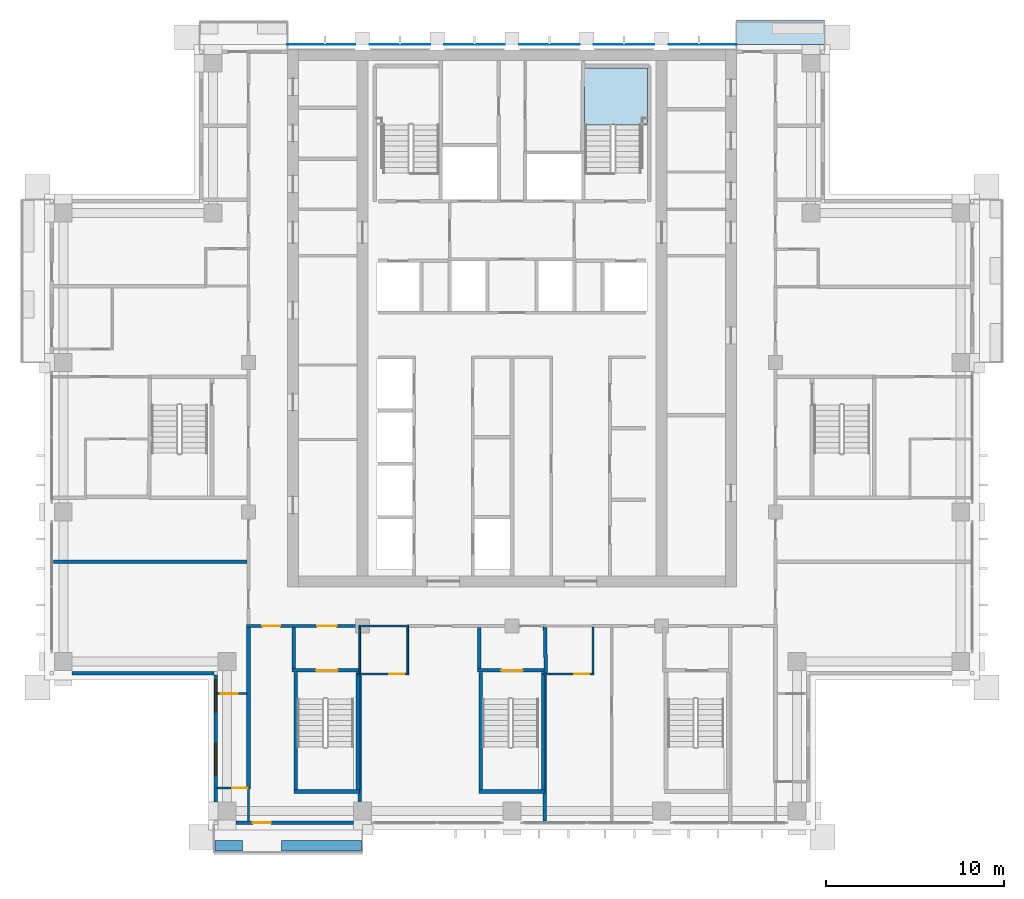
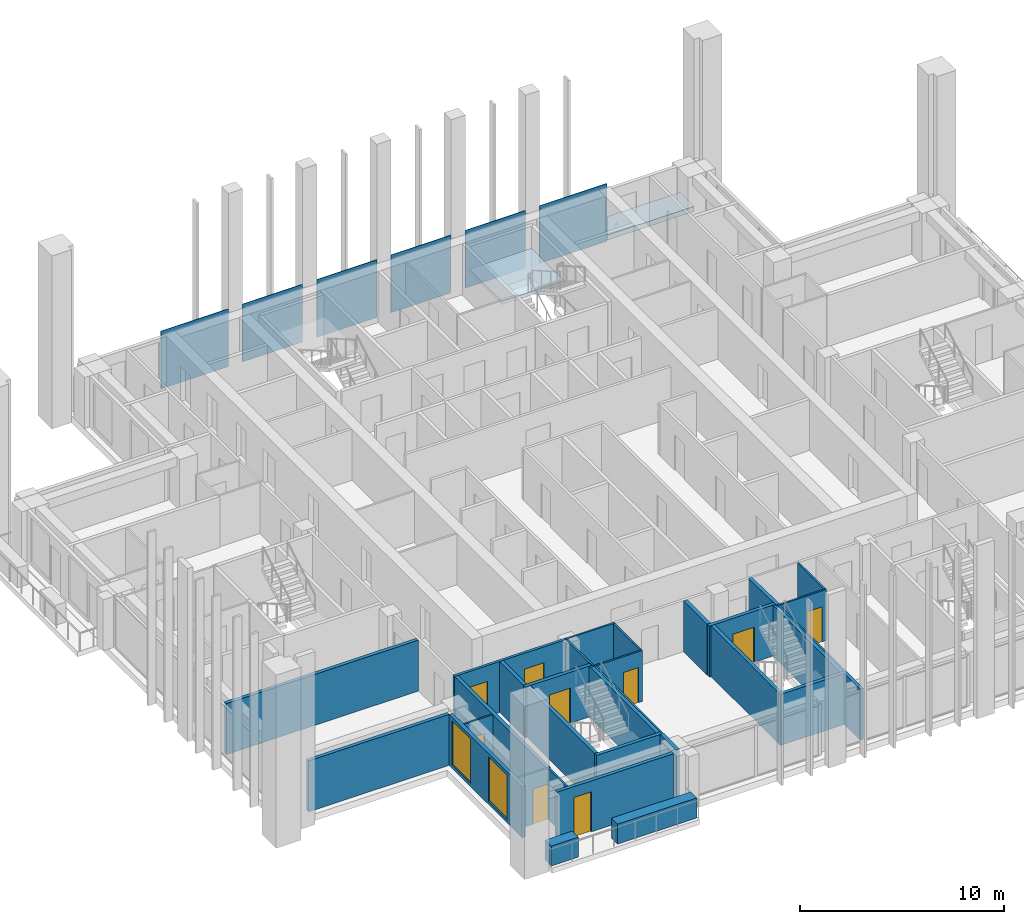
# One storey, part 7 of 17: 30 walls, 9 doors, 6 plates, 2 slabs, 2 windows, 11 openings, 1 element without a shape of its own.
"""IFC4 building model written with IfcOpenShell, lengths in metres."""

import ifcopenshell
import ifcopenshell.guid

model = None  # the IFC model being written
_history = None  # IfcOwnerHistory: only IFC2X3 demands one
_inside = {}  # id of a spatial element -> (the spatial element, [elements in it])
_under = {}  # id of a project, library or spatial element -> (it, [spatial elements below it])
_declared = {}  # id of a project -> (the project, [libraries it declares])
_typed = {}  # id of a type object -> (the type object, [elements of that type])
_made_of = {}  # id of a material, layer set ... -> (it, [elements and type objects made of it])


def new_model(schema):
    """Start an empty IFC model of exactly this schema.

    Asked for "IFC4X3", IfcOpenShell would pick the latest addendum, in which some entities
    have other attributes; the version numbers below select the first issue.
    IFC2X3 requires an IfcOwnerHistory on every rooted entity: one is made here for all.
    """
    global model, _history
    if schema == "IFC4X3":
        model = ifcopenshell.file(schema_version=(4, 3, 0, 0))
    else:
        model = ifcopenshell.file(schema=schema)
    _inside.clear()
    _under.clear()
    _declared.clear()
    _typed.clear()
    _made_of.clear()
    _history = None
    if model.schema == "IFC2X3":
        org = make("IfcOrganization", Name="unknown")
        user = make(
            "IfcPersonAndOrganization",
            ThePerson=make("IfcPerson", FamilyName="unknown"),
            TheOrganization=org,
        )
        app = make(
            "IfcApplication",
            ApplicationDeveloper=org,
            Version="unknown",
            ApplicationFullName="unknown",
            ApplicationIdentifier="unknown",
        )
        _history = make(
            "IfcOwnerHistory",
            OwningUser=user,
            OwningApplication=app,
            ChangeAction="ADDED",
            CreationDate=0,
        )
    return model


def make(cls, **values):
    """One entity of the class cls with the attributes given. An attribute that is None is left unset."""
    return model.create_entity(
        cls, **{name: value for name, value in values.items() if value is not None}
    )


def rooted(cls, **values):
    """An entity with a GlobalId (a new one), such as an element, a storey or a relation."""
    return make(cls, GlobalId=ifcopenshell.guid.new(), OwnerHistory=_history, **values)


def si_unit(unit_type, name, prefix=None):
    """IfcSIUnit, for example si_unit("LENGTHUNIT", "METRE", prefix="MILLI")."""
    return make("IfcSIUnit", UnitType=unit_type, Prefix=prefix, Name=name)


def assignment(units):
    """IfcUnitAssignment: the units of a project."""
    return None if units is None else make("IfcUnitAssignment", Units=units)


def point(xyz):
    """IfcCartesianPoint."""
    return None if xyz is None else make("IfcCartesianPoint", Coordinates=xyz)


def direction(xyz):
    """IfcDirection."""
    return None if xyz is None else make("IfcDirection", DirectionRatios=xyz)


def frame(location, z_axis=None, x_axis=None):
    """IfcAxis2Placement3D, a coordinate frame: its origin and axes. An axis left out is left unset."""
    return make(
        "IfcAxis2Placement3D",
        Location=point(location),
        Axis=direction(z_axis),
        RefDirection=direction(x_axis),
    )


def frame_2d(location, x_axis=None):
    """IfcAxis2Placement2D, a coordinate frame in the plane: its origin and x axis."""
    return make(
        "IfcAxis2Placement2D", Location=point(location), RefDirection=direction(x_axis)
    )


def origin():
    """The frame at (0, 0, 0) with its axes left unset."""
    return frame((0.0, 0.0, 0.0))


def origin_2d():
    """The frame at (0, 0) in the plane with its x axis left unset."""
    return frame_2d((0.0, 0.0))


def place(relative_to, where):
    """IfcLocalPlacement: puts the frame where relative to a parent placement (None: the world)."""
    return make(
        "IfcLocalPlacement", PlacementRelTo=relative_to, RelativePlacement=where
    )


def context(
    kind, dimensions, precision=None, world=None, true_north=None, identifier=None
):
    """IfcGeometricRepresentationContext, for example the 3D "Model" context."""
    return make(
        "IfcGeometricRepresentationContext",
        ContextIdentifier=identifier,
        ContextType=kind,
        CoordinateSpaceDimension=dimensions,
        Precision=precision,
        WorldCoordinateSystem=world,
        TrueNorth=true_north,
    )


def subcontext(parent, identifier, kind, view, scale=None):
    """IfcGeometricRepresentationSubContext, for example "Body" below "Model"."""
    return make(
        "IfcGeometricRepresentationSubContext",
        ContextIdentifier=identifier,
        ContextType=kind,
        ParentContext=parent,
        TargetScale=scale,
        TargetView=view,
    )


def project(units=None, contexts=None):
    """IfcProject with its units and contexts."""
    return rooted(
        "IfcProject",
        Name="project",
        RepresentationContexts=contexts,
        UnitsInContext=assignment(units),
    )


def spatial(cls, under=None, at=None, **own):
    """A site, building, storey or space (cls), placed at a placement, below another one or the project."""
    s = rooted(cls, ObjectPlacement=at, **own)
    if under is not None:
        _under.setdefault(under.id(), (under, []))[1].append(s)
    return s


def polyline(points):
    """IfcPolyline through the points."""
    return make("IfcPolyline", Points=[point(p) for p in points])


def profile(cls, at=None, kind="AREA", **sizes):
    """A parametric profile (cls). Its sizes go by their IFC names, for example OverallWidth=200.0."""
    return make(cls, ProfileType=kind, Position=at, **sizes)


def rectangle(**sizes):
    """IfcRectangleProfileDef."""
    return profile("IfcRectangleProfileDef", **sizes)


def outline(outer, holes=None, kind="AREA"):
    """IfcArbitraryClosedProfileDef: a profile drawn as a closed curve; with holes, ...WithVoids."""
    if holes is None:
        return make("IfcArbitraryClosedProfileDef", ProfileType=kind, OuterCurve=outer)
    return make(
        "IfcArbitraryProfileDefWithVoids",
        ProfileType=kind,
        OuterCurve=outer,
        InnerCurves=holes,
    )


def extrude(swept, where, along, depth):
    """IfcExtrudedAreaSolid: the profile swept, set in the frame where, extruded along a direction by depth."""
    return make(
        "IfcExtrudedAreaSolid",
        SweptArea=swept,
        Position=where,
        ExtrudedDirection=direction(along),
        Depth=depth,
    )


def shape(context_of_items, identifier, shape_type, items):
    """IfcShapeRepresentation: the items that make up one representation, for example the "Body"."""
    return make(
        "IfcShapeRepresentation",
        ContextOfItems=context_of_items,
        RepresentationIdentifier=identifier,
        RepresentationType=shape_type,
        Items=items,
    )


def material(Name=None, Category=None):
    """IfcMaterial."""
    return make("IfcMaterial", Name=Name, Category=Category)


def layer(
    of_material, thickness, ventilated=None, Name=None, Category=None, Priority=None
):
    """IfcMaterialLayer: one layer of a wall or slab, of a material (None: an air gap)."""
    return make(
        "IfcMaterialLayer",
        Material=of_material,
        LayerThickness=thickness,
        IsVentilated=ventilated,
        Name=Name,
        Category=Category,
        Priority=Priority,
    )


def layer_set(layers, Name=None):
    """IfcMaterialLayerSet."""
    return make("IfcMaterialLayerSet", MaterialLayers=layers, LayerSetName=Name)


def made_of(thing, what):
    """Note that an element or type object is made of a material, layer set ...; save() writes the relation."""
    if what is not None:
        _made_of.setdefault(what.id(), (what, []))[1].append(thing)
    return thing


def type_object(cls, material=None, **own):
    """A type object (cls), such as IfcWallType, which elements share."""
    return made_of(rooted(cls, **own), material)


def element(
    cls,
    number,
    at=None,
    inside=None,
    cuts=None,
    type_object=None,
    material=None,
    context=None,
    identifier="Body",
    shape_type=None,
    held_by="IfcProductDefinitionShape",
    body=None,
    shapes=None,
    **own,
):
    """One element of the class cls, such as IfcWall. Its Tag is "e" and its number.

    at: its placement. inside: the storey or other place that contains it. cuts: it is an
    opening in that element (IfcRelVoidsElement). A single representation is given by context,
    identifier, shape_type and body (its items); several are given by shapes. held_by: the class
    of the entity that holds the representations. save() writes the other relations.
    """
    e = rooted(cls, Tag="e%d" % number, ObjectPlacement=at, **own)
    if body is not None:
        shapes = [shape(context, identifier, shape_type, body)]
    if shapes is not None:
        e.Representation = make(held_by, Representations=shapes)
    if inside is not None:
        _inside.setdefault(inside.id(), (inside, []))[1].append(e)
    if cuts is not None:
        rooted(
            "IfcRelVoidsElement", RelatingBuildingElement=cuts, RelatedOpeningElement=e
        )
    if type_object is not None:
        _typed.setdefault(type_object.id(), (type_object, []))[1].append(e)
    return made_of(e, material)


def fill(opening, filler):
    """IfcRelFillsElement: the door or window that sits in an opening."""
    return rooted(
        "IfcRelFillsElement",
        RelatingOpeningElement=opening,
        RelatedBuildingElement=filler,
    )


def aggregate(whole, parts):
    """IfcRelAggregates: a whole, such as a stair, and the parts it consists of."""
    return rooted("IfcRelAggregates", RelatingObject=whole, RelatedObjects=parts)


def save(model, path):
    """Write the relations noted so far, then the file.

    IfcRelAggregates (storeys below a building ...), IfcRelContainedInSpatialStructure (elements
    in a storey), IfcRelDefinesByType, IfcRelAssociatesMaterial and IfcRelDeclares: one each for
    every whole, place, type object, material and project.
    """
    for whole, parts in _under.values():
        aggregate(whole, parts)
    for where, things in _inside.values():
        rooted(
            "IfcRelContainedInSpatialStructure",
            RelatedElements=things,
            RelatingStructure=where,
        )
    for kind, things in _typed.values():
        rooted("IfcRelDefinesByType", RelatedObjects=things, RelatingType=kind)
    for what, things in _made_of.values():
        rooted("IfcRelAssociatesMaterial", RelatedObjects=things, RelatingMaterial=what)
    for by, libraries in _declared.values():
        rooted("IfcRelDeclares", RelatingContext=by, RelatedDefinitions=libraries)
    model.write(path)


model = new_model("IFC4")

# Units and contexts
model_context = context("Model", 3, precision=1e-05, world=origin(), true_north=direction((0.0, 1.0)))
body_context = subcontext(model_context, "Body", "Model", "MODEL_VIEW")
ifc_project = project(units=[si_unit("LENGTHUNIT", "METRE"), si_unit("AREAUNIT", "SQUARE_METRE"), si_unit("VOLUMEUNIT", "CUBIC_METRE"), si_unit("PLANEANGLEUNIT", "RADIAN"), si_unit("MASSUNIT", "GRAM", prefix="KILO")], contexts=[model_context])

# Site, building, storey
site_placement = place(None, origin())
site = spatial("IfcSite", under=ifc_project, at=site_placement, CompositionType="ELEMENT")
building_placement = place(site_placement, origin())
building = spatial("IfcBuilding", under=site, at=building_placement, Name="Vermilion Ogive Tower", CompositionType="ELEMENT")
storey_placement = place(building_placement, frame((0.0, 0.0, 175.550048828125)))
storey = spatial("IfcBuildingStorey", under=building, at=storey_placement, Name="L45", CompositionType="ELEMENT", Elevation=175.550048828125)

# Slab
ifc_material_1 = material(Name="Concrete B40", Category="concrete")
ifc_layer_1 = layer(ifc_material_1, 0.300048828125)
ifc_layer_set_1 = layer_set([ifc_layer_1], Name="Balcony slab")
slab_type_1 = type_object("IfcSlabType", Name="Balcony slab", PredefinedType="FLOOR", material=ifc_layer_set_1)
slab_1_placement = place(storey_placement, frame((0.0, 0.0, -0.340087890625)))
element("IfcSlab", 1, at=slab_1_placement, inside=storey, type_object=slab_type_1, Name="Balcony slab N101", PredefinedType="FLOOR", context=body_context, shape_type="SweptSolid", body=[
    extrude(outline(polyline([(17.550048828125, 23.43408203125), (12.60009765625, 23.43408203125), (12.60009765625, 22.050048828125), (17.550048828125, 22.050048828125), (17.550048828125, 23.43408203125)])), origin(), (0.0, 0.0, 1.0), 0.300048828125),
])

# Plates
ifc_material_2 = material(Name="Low-iron laminated glazing in aluminium frame", Category="aluminium")
ifc_layer_2 = layer(ifc_material_2, 0.031982421875)
ifc_layer_set_2 = layer_set([ifc_layer_2], Name="Glazed rainscreen sheet 32")
plate_type = type_object("IfcPlateType", Name="Glazed rainscreen sheet 32", PredefinedType="SHEET", material=ifc_layer_set_2)
plate_1_placement = place(storey_placement, frame((-10.7099609375, 22.06591796875, -0.39990234375), z_axis=(0.0, 0.0, 1.0), x_axis=(1.0, 0.0, 0.0)))
element("IfcPlate", 2, at=plate_1_placement, inside=storey, type_object=plate_type, Name="Glazed rainscreen sheet N1", PredefinedType="SHEET", context=body_context, shape_type="SweptSolid", body=[
    extrude(rectangle(XDim=3.820068359375, YDim=0.031982421875, at=origin_2d()), origin(), (0.0, 0.0, 1.0), 3.449951171875),
])
for number, where, z_axis, x_axis, name in (
    (3, (-6.300048828125, 22.06591796875, -0.39990234375), (0.0, 0.0, 1.0), (1.0, 0.0, 0.0), "Glazed rainscreen sheet N2"),
    (4, (-2.10009765625, 22.06591796875, -0.39990234375), (0.0, 0.0, 1.0), (1.0, 0.0, 0.0), "Glazed rainscreen sheet N3"),
    (5, (2.10009765625, 22.06591796875, -0.39990234375), (0.0, 0.0, 1.0), (1.0, 0.0, 0.0), "Glazed rainscreen sheet N4"),
    (6, (6.300048828125, 22.06591796875, -0.39990234375), (0.0, 0.0, 1.0), (1.0, 0.0, 0.0), "Glazed rainscreen sheet N5"),
):
    element("IfcPlate", number, at=place(storey_placement, frame(where, z_axis=z_axis, x_axis=x_axis)), inside=storey, type_object=plate_type, Name=name, PredefinedType="SHEET", context=body_context, shape_type="SweptSolid", body=[
        extrude(rectangle(XDim=3.39990234375, YDim=0.031982421875, at=origin_2d()), origin(), (0.0, 0.0, 1.0), 3.449951171875),
    ])
plate_2_placement = place(storey_placement, frame((10.7099609375, 22.06591796875, -0.39990234375), z_axis=(0.0, 0.0, 1.0), x_axis=(1.0, 0.0, 0.0)))
element("IfcPlate", 7, at=plate_2_placement, inside=storey, type_object=plate_type, Name="Glazed rainscreen sheet N6", PredefinedType="SHEET", context=body_context, shape_type="SweptSolid", body=[
    extrude(rectangle(XDim=3.820068359375, YDim=0.031982421875, at=origin_2d()), origin(), (0.0, 0.0, 1.0), 3.449951171875),
])

# Stair, slab
ifc_material_3 = material(Name="Concrete B40", Category="concrete")
stair_type = type_object("IfcStairType", Name="Exit stair 1500", PredefinedType="HALF_TURN_STAIR", material=ifc_material_3)
stair_placement = place(storey_placement, origin())
stair = element("IfcStair", 8, at=stair_placement, inside=storey, type_object=stair_type, Name="L45 Exit Stair ST2", PredefinedType="HALF_TURN_STAIR")
ifc_material_4 = material(Name="Concrete B40", Category="concrete")
ifc_layer_3 = layer(ifc_material_4, 0.199951171875)
ifc_layer_set_3 = layer_set([ifc_layer_3], Name="Stair landing 200")
slab_type_2 = type_object("IfcSlabType", Name="Stair landing 200", PredefinedType="LANDING", material=ifc_layer_set_3)
slab_2_placement = place(storey_placement, frame((0.0, 0.0, 1.52490234375)))
slab_2 = element("IfcSlab", 9, at=slab_2_placement, type_object=slab_type_2, Name="ST2 landing 1", PredefinedType="LANDING", context=body_context, shape_type="SweptSolid", body=[
    extrude(outline(polyline([(5.60009765625, 17.550048828125), (5.75, 17.550048828125), (5.75, 17.548095703125), (7.25, 17.548095703125), (7.25, 17.550048828125), (7.60009765625, 17.550048828125), (7.60009765625, 20.75), (4.074951171875, 20.75), (4.074951171875, 17.550048828125), (4.10009765625, 17.550048828125), (4.10009765625, 17.548095703125), (5.60009765625, 17.548095703125), (5.60009765625, 17.550048828125)])), origin(), (0.0, 0.0, 1.0), 0.199951171875),
])
aggregate(stair, [slab_2])

# Wall, opening, door
ifc_material_5 = material(Name="Gypsum board partition on steel studs", Category="steel")
ifc_layer_4 = layer(ifc_material_5, 0.10009765625)
ifc_layer_set_4 = layer_set([ifc_layer_4], Name="Partition 100 bath")
wall_type_1 = type_object("IfcWallType", Name="Partition 100 bath", PredefinedType="PARTITIONING", material=ifc_layer_set_4)
wall_1_placement = place(storey_placement, frame((-16.550048828125, -19.699951171875, 0.0), z_axis=(0.0, 0.0, 1.0), x_axis=(1.0, 0.0, 0.0)))
wall_1 = element("IfcWall", 10, at=wall_1_placement, inside=storey, type_object=wall_type_1, Name="L45-W-W001", PredefinedType="PARTITIONING", context=body_context, shape_type="SweptSolid", body=[
    extrude(rectangle(XDim=1.85009765625, YDim=0.10009765625, at=frame_2d((0.925048828125, 0.0))), origin(), (0.0, 0.0, 1.0), 3.050048828125),
])
opening_1_placement = place(wall_1_placement, frame((0.85009765625, 0.0, 0.0)))
opening_1 = element("IfcOpeningElement", 11, at=opening_1_placement, cuts=wall_1, Name="Opening D4G1003", PredefinedType="OPENING", context=body_context, shape_type="SweptSolid", body=[
    extrude(rectangle(XDim=0.85009765625, YDim=2.10009765625, at=frame_2d((0.425048828125, 1.050048828125))), frame((0.0, 0.06005859375, 0.0), z_axis=(0.0, -1.0, 0.0), x_axis=(1.0, 0.0, 0.0)), (0.0, 0.0, 1.0), 0.1201171875),
])
ifc_material_6 = material(Name="Timber door leaf", Category="wood")
door_type_1 = type_object("IfcDoorType", Name="Bath door 850 x 2100 FD30", OperationType="SINGLE_SWING_LEFT", PredefinedType="DOOR", material=ifc_material_6)
door_1_placement = place(opening_1_placement, origin())
door_1 = element("IfcDoor", 12, at=door_1_placement, inside=storey, type_object=door_type_1, Name="L45-D-D003", OperationType="SINGLE_SWING_RIGHT", OverallHeight=2.10009765625, OverallWidth=0.85009765625, PredefinedType="DOOR", context=body_context, shape_type="SweptSolid", body=[
    extrude(rectangle(XDim=0.85009765625, YDim=2.10009765625, at=frame_2d((0.425048828125, 1.050048828125))), frame((0.0, 0.02490234375, 0.0), z_axis=(0.0, -1.0, 0.0), x_axis=(1.0, 0.0, 0.0)), (0.0, 0.0, 1.0), 0.050048828125),
])
fill(opening_1, door_1)

wall_2_placement = place(storey_placement, frame((-8.64990234375, -13.300048828125, 0.0), z_axis=(0.0, 0.0, 1.0), x_axis=(1.0, 0.0, 0.0)))
wall_2 = element("IfcWall", 13, at=wall_2_placement, inside=storey, type_object=wall_type_1, Name="L45-W-W008", PredefinedType="PARTITIONING", context=body_context, shape_type="SweptSolid", body=[
    extrude(rectangle(XDim=2.847900390625, YDim=0.10009765625, at=frame_2d((1.423828125, 0.0))), origin(), (0.0, 0.0, 1.0), 3.050048828125),
])
opening_2_placement = place(wall_2_placement, frame((1.75, 0.0, 0.0)))
opening_2 = element("IfcOpeningElement", 14, at=opening_2_placement, cuts=wall_2, Name="Opening D4G1013", PredefinedType="OPENING", context=body_context, shape_type="SweptSolid", body=[
    extrude(rectangle(XDim=0.85009765625, YDim=2.10009765625, at=frame_2d((0.425048828125, 1.050048828125))), frame((0.0, 0.06005859375, 0.0), z_axis=(0.0, -1.0, 0.0), x_axis=(1.0, 0.0, 0.0)), (0.0, 0.0, 1.0), 0.1201171875),
])
door_2_placement = place(opening_2_placement, origin())
door_2 = element("IfcDoor", 15, at=door_2_placement, inside=storey, type_object=door_type_1, Name="L45-D-D013", OperationType="SINGLE_SWING_RIGHT", OverallHeight=2.10009765625, OverallWidth=0.85009765625, PredefinedType="DOOR", context=body_context, shape_type="SweptSolid", body=[
    extrude(rectangle(XDim=0.85009765625, YDim=2.10009765625, at=frame_2d((0.425048828125, 1.050048828125))), frame((0.0, 0.02490234375, 0.0), z_axis=(0.0, -1.0, 0.0), x_axis=(1.0, 0.0, 0.0)), (0.0, 0.0, 1.0), 0.050048828125),
])
fill(opening_2, door_2)

wall_3_placement = place(storey_placement, frame((1.75, -13.300048828125, 0.0), z_axis=(0.0, 0.0, 1.0), x_axis=(1.0, 0.0, 0.0)))
wall_3 = element("IfcWall", 16, at=wall_3_placement, inside=storey, type_object=wall_type_1, Name="L45-W-W009", PredefinedType="PARTITIONING", context=body_context, shape_type="SweptSolid", body=[
    extrude(rectangle(XDim=2.85009765625, YDim=0.10009765625, at=frame_2d((1.425048828125, 0.0))), origin(), (0.0, 0.0, 1.0), 3.050048828125),
])
opening_3_placement = place(wall_3_placement, frame((1.75, 0.0, 0.0)))
opening_3 = element("IfcOpeningElement", 17, at=opening_3_placement, cuts=wall_3, Name="Opening D4G1016", PredefinedType="OPENING", context=body_context, shape_type="SweptSolid", body=[
    extrude(rectangle(XDim=0.85009765625, YDim=2.10009765625, at=frame_2d((0.425048828125, 1.050048828125))), frame((0.0, 0.06005859375, 0.0), z_axis=(0.0, -1.0, 0.0), x_axis=(1.0, 0.0, 0.0)), (0.0, 0.0, 1.0), 0.1201171875),
])
door_3_placement = place(opening_3_placement, origin())
door_3 = element("IfcDoor", 18, at=door_3_placement, inside=storey, type_object=door_type_1, Name="L45-D-D016", OperationType="SINGLE_SWING_RIGHT", OverallHeight=2.10009765625, OverallWidth=0.85009765625, PredefinedType="DOOR", context=body_context, shape_type="SweptSolid", body=[
    extrude(rectangle(XDim=0.85009765625, YDim=2.10009765625, at=frame_2d((0.425048828125, 1.050048828125))), frame((0.0, 0.02490234375, 0.0), z_axis=(0.0, -1.0, 0.0), x_axis=(1.0, 0.0, 0.0)), (0.0, 0.0, 1.0), 0.050048828125),
])
fill(opening_3, door_3)

# Walls
wall_4_placement = place(storey_placement, frame((-8.60009765625, -10.60009765625, 0.0), z_axis=(0.0, 0.0, 1.0), x_axis=(1.0, 0.0, 0.0)))
element("IfcWall", 19, at=wall_4_placement, inside=storey, type_object=wall_type_1, Name="L45-W-W014", PredefinedType="PARTITIONING", context=body_context, shape_type="SweptSolid", body=[
    extrude(rectangle(XDim=2.800048828125, YDim=0.10009765625, at=frame_2d((1.39990234375, 0.0))), origin(), (0.0, 0.0, 1.0), 3.050048828125),
])
wall_5_placement = place(storey_placement, frame((-14.800048828125, -21.550048828125, 0.0), z_axis=(0.0, 0.0, 1.0), x_axis=(0.0, 1.0, 0.0)))
element("IfcWall", 20, at=wall_5_placement, inside=storey, type_object=wall_type_1, Name="L45-W-W048", PredefinedType="PARTITIONING", context=body_context, shape_type="SweptSolid", body=[
    extrude(rectangle(XDim=1.800048828125, YDim=0.10009765625, at=frame_2d((0.89990234375, 0.0))), origin(), (0.0, 0.0, 1.0), 3.050048828125),
])
wall_6_placement = place(storey_placement, frame((-8.550048828125, -13.25, 0.0), z_axis=(0.0, 0.0, 1.0), x_axis=(0.0, 1.0, 0.0)))
element("IfcWall", 21, at=wall_6_placement, inside=storey, type_object=wall_type_1, Name="L45-W-W057", PredefinedType="PARTITIONING", context=body_context, shape_type="SweptSolid", body=[
    extrude(rectangle(XDim=2.574951171875, YDim=0.10009765625, at=frame_2d((1.28759765625, 0.0))), origin(), (0.0, 0.0, 1.0), 3.050048828125),
])
wall_7_placement = place(storey_placement, frame((-5.85009765625, -13.248046875, 0.0), z_axis=(0.0, 0.0, 1.0), x_axis=(0.0, 1.0, 0.0)))
element("IfcWall", 22, at=wall_7_placement, inside=storey, type_object=wall_type_1, Name="L45-W-W058", PredefinedType="PARTITIONING", context=body_context, shape_type="SweptSolid", body=[
    extrude(rectangle(XDim=2.572998046875, YDim=0.10009765625, at=frame_2d((1.28662109375, 0.0))), origin(), (0.0, 0.0, 1.0), 3.050048828125),
])
wall_8_placement = place(storey_placement, frame((4.550048828125, -13.25, 0.0), z_axis=(0.0, 0.0, 1.0), x_axis=(0.0, 1.0, 0.0)))
element("IfcWall", 23, at=wall_8_placement, inside=storey, type_object=wall_type_1, Name="L45-W-W064", PredefinedType="PARTITIONING", context=body_context, shape_type="SweptSolid", body=[
    extrude(rectangle(XDim=2.574951171875, YDim=0.10009765625, at=frame_2d((1.28759765625, 0.0))), origin(), (0.0, 0.0, 1.0), 3.050048828125),
])

# Wall, opening, door
ifc_material_7 = material(Name="Gypsum board partition on steel studs", Category="steel")
ifc_layer_5 = layer(ifc_material_7, 0.10009765625)
ifc_layer_set_5 = layer_set([ifc_layer_5], Name="Partition 100 inner")
wall_type_2 = type_object("IfcWallType", Name="Partition 100 inner", PredefinedType="PARTITIONING", material=ifc_layer_set_5)
wall_9_placement = place(storey_placement, frame((-16.550048828125, -14.39990234375, 0.0), z_axis=(0.0, 0.0, 1.0), x_axis=(1.0, 0.0, 0.0)))
wall_9 = element("IfcWall", 24, at=wall_9_placement, inside=storey, type_object=wall_type_2, Name="L45-W-W006", PredefinedType="PARTITIONING", context=body_context, shape_type="SweptSolid", body=[
    extrude(rectangle(XDim=1.650146484375, YDim=0.10009765625, at=frame_2d((0.8251953125, 0.0))), origin(), (0.0, 0.0, 1.0), 3.050048828125),
])
opening_4_placement = place(wall_9_placement, frame((0.199951171875, 0.0, 0.0)))
opening_4 = element("IfcOpeningElement", 25, at=opening_4_placement, cuts=wall_9, Name="Opening D4G1002", PredefinedType="OPENING", context=body_context, shape_type="SweptSolid", body=[
    extrude(rectangle(XDim=0.949951171875, YDim=2.10009765625, at=frame_2d((0.47509765625, 1.050048828125))), frame((0.0, 0.06005859375, 0.0), z_axis=(0.0, -1.0, 0.0), x_axis=(1.0, 0.0, 0.0)), (0.0, 0.0, 1.0), 0.1201171875),
])
ifc_material_8 = material(Name="Timber door leaf", Category="wood")
door_type_2 = type_object("IfcDoorType", Name="Inner door 950 x 2100 FD30", OperationType="SINGLE_SWING_LEFT", PredefinedType="DOOR", material=ifc_material_8)
door_4_placement = place(opening_4_placement, origin())
door_4 = element("IfcDoor", 26, at=door_4_placement, inside=storey, type_object=door_type_2, Name="L45-D-D002", OperationType="SINGLE_SWING_RIGHT", OverallHeight=2.10009765625, OverallWidth=0.949951171875, PredefinedType="DOOR", context=body_context, shape_type="SweptSolid", body=[
    extrude(rectangle(XDim=0.949951171875, YDim=2.10009765625, at=frame_2d((0.47509765625, 1.050048828125))), frame((0.0, 0.02490234375, 0.0), z_axis=(0.0, -1.0, 0.0), x_axis=(1.0, 0.0, 0.0)), (0.0, 0.0, 1.0), 0.050048828125),
])
fill(opening_4, door_4)

# Wall, openings, doors
ifc_material_9 = material(Name="Gypsum board partition on steel studs", Category="steel")
ifc_layer_6 = layer(ifc_material_9, 0.14990234375)
ifc_layer_set_6 = layer_set([ifc_layer_6], Name="Partition 150 corridor")
wall_type_3 = type_object("IfcWallType", Name="Partition 150 corridor", PredefinedType="PARTITIONING", material=ifc_layer_set_6)
wall_10_placement = place(storey_placement, frame((-14.89990234375, -10.60009765625, 0.0), z_axis=(0.0, 0.0, 1.0), x_axis=(1.0, 0.0, 0.0)))
wall_10 = element("IfcWall", 27, at=wall_10_placement, inside=storey, type_object=wall_type_3, Name="L45-W-W013", PredefinedType="PARTITIONING", context=body_context, shape_type="SweptSolid", body=[
    extrude(rectangle(XDim=6.39990234375, YDim=0.14990234375, at=frame_2d((3.199951171875, 0.0))), origin(), (0.0, 0.0, 1.0), 3.050048828125),
])
opening_5_placement = place(wall_10_placement, frame((3.949951171875, 0.0, 0.0)))
opening_5 = element("IfcOpeningElement", 28, at=opening_5_placement, cuts=wall_10, Name="Opening D4G1027", PredefinedType="OPENING", context=body_context, shape_type="SweptSolid", body=[
    extrude(rectangle(XDim=1.10009765625, YDim=2.10009765625, at=frame_2d((0.550048828125, 1.050048828125))), frame((0.0, 0.0849609375, 0.0), z_axis=(0.0, -1.0, 0.0), x_axis=(1.0, 0.0, 0.0)), (0.0, 0.0, 1.0), 0.169921875),
])
opening_6_placement = place(wall_10_placement, frame((0.875, 0.0, 0.0)))
opening_6 = element("IfcOpeningElement", 29, at=opening_6_placement, cuts=wall_10, Name="Opening D4G1037", PredefinedType="OPENING", context=body_context, shape_type="SweptSolid", body=[
    extrude(rectangle(XDim=1.0, YDim=2.10009765625, at=frame_2d((0.5, 1.050048828125))), frame((0.0, 0.0849609375, 0.0), z_axis=(0.0, -1.0, 0.0), x_axis=(1.0, 0.0, 0.0)), (0.0, 0.0, 1.0), 0.169921875),
])
ifc_material_10 = material(Name="Timber door leaf", Category="wood")
door_type_3 = type_object("IfcDoorType", Name="Stair door 1100 x 2100 FD60S", OperationType="SINGLE_SWING_LEFT", PredefinedType="DOOR", material=ifc_material_10)
door_5_placement = place(opening_5_placement, origin())
door_5 = element("IfcDoor", 30, at=door_5_placement, inside=storey, type_object=door_type_3, Name="L45-D-D027", OperationType="SINGLE_SWING_RIGHT", OverallHeight=2.10009765625, OverallWidth=1.10009765625, PredefinedType="DOOR", context=body_context, shape_type="SweptSolid", body=[
    extrude(rectangle(XDim=1.10009765625, YDim=2.10009765625, at=frame_2d((0.550048828125, 1.050048828125))), frame((0.0, 0.02490234375, 0.0), z_axis=(0.0, -1.0, 0.0), x_axis=(1.0, 0.0, 0.0)), (0.0, 0.0, 1.0), 0.050048828125),
])
fill(opening_5, door_5)
ifc_material_11 = material(Name="Timber door leaf", Category="wood")
door_type_4 = type_object("IfcDoorType", Name="Unit door 1000 x 2100 FD30S", OperationType="SINGLE_SWING_LEFT", PredefinedType="DOOR", material=ifc_material_11)
door_6_placement = place(opening_6_placement, origin())
door_6 = element("IfcDoor", 31, at=door_6_placement, inside=storey, type_object=door_type_4, Name="L45-D-D037", OperationType="SINGLE_SWING_RIGHT", OverallHeight=2.10009765625, OverallWidth=1.0, PredefinedType="DOOR", context=body_context, shape_type="SweptSolid", body=[
    extrude(rectangle(XDim=1.0, YDim=2.10009765625, at=frame_2d((0.5, 1.050048828125))), frame((0.0, 0.02490234375, 0.0), z_axis=(0.0, -1.0, 0.0), x_axis=(1.0, 0.0, 0.0)), (0.0, 0.0, 1.0), 0.050048828125),
])
fill(opening_6, door_6)

# Walls
ifc_material_12 = material(Name="Gypsum board partition on steel studs", Category="steel")
ifc_layer_7 = layer(ifc_material_12, 0.199951171875)
ifc_layer_set_7 = layer_set([ifc_layer_7], Name="Partition 200 party")
wall_type_4 = type_object("IfcWallType", Name="Partition 200 party", PredefinedType="PARTITIONING", material=ifc_layer_set_7)
wall_11_placement = place(storey_placement, frame((-25.75, -7.0, 0.0), z_axis=(0.0, 0.0, 1.0), x_axis=(1.0, 0.0, 0.0)))
element("IfcWall", 32, at=wall_11_placement, inside=storey, type_object=wall_type_4, Name="L45-W-W018", PredefinedType="PARTITIONING", context=body_context, shape_type="SweptSolid", body=[
    extrude(rectangle(XDim=10.875, YDim=0.199951171875, at=frame_2d((5.4375, 0.0))), origin(), (0.0, 0.0, 1.0), 3.050048828125),
])
wall_12_placement = place(storey_placement, frame((-14.800048828125, -19.64990234375, 0.0), z_axis=(0.0, 0.0, 1.0), x_axis=(0.0, 1.0, 0.0)))
element("IfcWall", 33, at=wall_12_placement, inside=storey, type_object=wall_type_4, Name="L45-W-W049", PredefinedType="PARTITIONING", context=body_context, shape_type="SweptSolid", body=[
    extrude(rectangle(XDim=8.974853515625, YDim=0.199951171875, at=frame_2d((4.4873046875, 0.0))), origin(), (0.0, 0.0, 1.0), 3.050048828125),
])
for number, where, z_axis, x_axis, name in (
    (34, (-12.25, -12.998046875, 0.0), (0.0, 0.0, 1.0), (0.0, 1.0, 0.0), "L45-W-W053"),
    (35, (-1.85009765625, -12.998046875, 0.0), (0.0, 0.0, 1.0), (0.0, 1.0, 0.0), "L45-W-W059"),
):
    element("IfcWall", number, at=place(storey_placement, frame(where, z_axis=z_axis, x_axis=x_axis)), inside=storey, type_object=wall_type_4, Name=name, PredefinedType="PARTITIONING", context=body_context, shape_type="SweptSolid", body=[
        extrude(rectangle(XDim=2.322998046875, YDim=0.199951171875, at=frame_2d((1.16162109375, 0.0))), origin(), (0.0, 0.0, 1.0), 3.050048828125),
    ])
ifc_material_13 = material(Name="Concrete B60", Category="concrete")
ifc_layer_8 = layer(ifc_material_13, 0.199951171875)
ifc_layer_set_8 = layer_set([ifc_layer_8], Name="Stair shaft wall 200 Concrete B60")
wall_type_5 = type_object("IfcWallType", Name="Stair shaft wall 200 Concrete B60", PredefinedType="SOLIDWALL", material=ifc_layer_set_8)
wall_13_placement = place(storey_placement, frame((-12.248046875, -19.89990234375, 0.0), z_axis=(0.0, 0.0, 1.0), x_axis=(1.0, 0.0, 0.0)))
element("IfcWall", 36, at=wall_13_placement, inside=storey, type_object=wall_type_5, Name="L45-W-W002", PredefinedType="SOLIDWALL", context=body_context, shape_type="SweptSolid", body=[
    extrude(rectangle(XDim=3.696044921875, YDim=0.199951171875, at=frame_2d((1.84814453125, 0.0))), origin(), (0.0, 0.0, 1.0), 3.050048828125),
])
wall_14_placement = place(storey_placement, frame((-1.847900390625, -19.89990234375, 0.0), z_axis=(0.0, 0.0, 1.0), x_axis=(1.0, 0.0, 0.0)))
element("IfcWall", 37, at=wall_14_placement, inside=storey, type_object=wall_type_5, Name="L45-W-W003", PredefinedType="SOLIDWALL", context=body_context, shape_type="SweptSolid", body=[
    extrude(rectangle(XDim=3.69580078125, YDim=0.199951171875, at=frame_2d((1.847900390625, 0.0))), origin(), (0.0, 0.0, 1.0), 3.050048828125),
])

# Wall, opening, door
wall_15_placement = place(storey_placement, frame((-12.347900390625, -13.10009765625, 0.0), z_axis=(0.0, 0.0, 1.0), x_axis=(1.0, 0.0, 0.0)))
wall_15 = element("IfcWall", 38, at=wall_15_placement, inside=storey, type_object=wall_type_5, Name="L45-W-W010", PredefinedType="SOLIDWALL", context=body_context, shape_type="SweptSolid", body=[
    extrude(rectangle(XDim=3.745849609375, YDim=0.199951171875, at=frame_2d((1.873046875, 0.0))), origin(), (0.0, 0.0, 1.0), 3.050048828125),
])
opening_7_placement = place(wall_15_placement, frame((1.347900390625, 0.0, 0.0)))
opening_7 = element("IfcOpeningElement", 39, at=opening_7_placement, cuts=wall_15, Name="Opening D4G1028", PredefinedType="OPENING", context=body_context, shape_type="SweptSolid", body=[
    extrude(rectangle(XDim=1.199951171875, YDim=2.10009765625, at=frame_2d((0.60009765625, 1.050048828125))), frame((0.0, 0.10986328125, 0.0), z_axis=(0.0, -1.0, 0.0), x_axis=(1.0, 0.0, 0.0)), (0.0, 0.0, 1.0), 0.219970703125),
])
ifc_material_14 = material(Name="Timber door leaf", Category="wood")
door_type_5 = type_object("IfcDoorType", Name="Stair door 1200 x 2100 FD60S", OperationType="SINGLE_SWING_LEFT", PredefinedType="DOOR", material=ifc_material_14)
door_7_placement = place(opening_7_placement, origin())
door_7 = element("IfcDoor", 40, at=door_7_placement, inside=storey, type_object=door_type_5, Name="L45-D-D028", OperationType="SINGLE_SWING_RIGHT", OverallHeight=2.10009765625, OverallWidth=1.199951171875, PredefinedType="DOOR", context=body_context, shape_type="SweptSolid", body=[
    extrude(rectangle(XDim=1.199951171875, YDim=2.10009765625, at=frame_2d((0.60009765625, 1.050048828125))), frame((0.0, 0.02490234375, 0.0), z_axis=(0.0, -1.0, 0.0), x_axis=(1.0, 0.0, 0.0)), (0.0, 0.0, 1.0), 0.050048828125),
])
fill(opening_7, door_7)

wall_16_placement = place(storey_placement, frame((-1.947998046875, -13.10009765625, 0.0), z_axis=(0.0, 0.0, 1.0), x_axis=(1.0, 0.0, 0.0)))
wall_16 = element("IfcWall", 41, at=wall_16_placement, inside=storey, type_object=wall_type_5, Name="L45-W-W011", PredefinedType="SOLIDWALL", context=body_context, shape_type="SweptSolid", body=[
    extrude(rectangle(XDim=3.74609375, YDim=0.199951171875, at=frame_2d((1.873046875, 0.0))), origin(), (0.0, 0.0, 1.0), 3.050048828125),
])
opening_8_placement = place(wall_16_placement, frame((1.347900390625, 0.0, 0.0)))
opening_8 = element("IfcOpeningElement", 42, at=opening_8_placement, cuts=wall_16, Name="Opening D4G1030", PredefinedType="OPENING", context=body_context, shape_type="SweptSolid", body=[
    extrude(rectangle(XDim=1.199951171875, YDim=2.10009765625, at=frame_2d((0.60009765625, 1.050048828125))), frame((0.0, 0.10986328125, 0.0), z_axis=(0.0, -1.0, 0.0), x_axis=(1.0, 0.0, 0.0)), (0.0, 0.0, 1.0), 0.219970703125),
])
door_8_placement = place(opening_8_placement, origin())
door_8 = element("IfcDoor", 43, at=door_8_placement, inside=storey, type_object=door_type_5, Name="L45-D-D030", OperationType="SINGLE_SWING_RIGHT", OverallHeight=2.10009765625, OverallWidth=1.199951171875, PredefinedType="DOOR", context=body_context, shape_type="SweptSolid", body=[
    extrude(rectangle(XDim=1.199951171875, YDim=2.10009765625, at=frame_2d((0.60009765625, 1.050048828125))), frame((0.0, 0.02490234375, 0.0), z_axis=(0.0, -1.0, 0.0), x_axis=(1.0, 0.0, 0.0)), (0.0, 0.0, 1.0), 0.050048828125),
])
fill(opening_8, door_8)

# Walls
for number, where, z_axis, x_axis, name in (
    (44, (-12.14990234375, -19.798095703125, 0.0), (0.0, 0.0, 1.0), (0.0, 1.0, 0.0), "L45-W-W054"),
    (45, (-8.64990234375, -19.798095703125, 0.0), (0.0, 0.0, 1.0), (0.0, 1.0, 0.0), "L45-W-W055"),
    (46, (-1.75, -19.798095703125, 0.0), (0.0, 0.0, 1.0), (0.0, 1.0, 0.0), "L45-W-W060"),
    (47, (1.75, -19.798095703125, 0.0), (0.0, 0.0, 1.0), (0.0, 1.0, 0.0), "L45-W-W061"),
):
    element("IfcWall", number, at=place(storey_placement, frame(where, z_axis=z_axis, x_axis=x_axis)), inside=storey, type_object=wall_type_5, Name=name, PredefinedType="SOLIDWALL", context=body_context, shape_type="SweptSolid", body=[
        extrude(rectangle(XDim=6.59619140625, YDim=0.199951171875, at=frame_2d((3.298095703125, 0.0))), origin(), (0.0, 0.0, 1.0), 3.050048828125),
    ])
wall_17_placement = place(storey_placement, frame((1.900146484375, -13.25, 0.0), z_axis=(0.0, 0.0, 1.0), x_axis=(-0.019062755699, 0.999818289163, 0.0)))
element("IfcWall", 48, at=wall_17_placement, inside=storey, type_object=wall_type_5, Name="L45-W-W063", PredefinedType="SOLIDWALL", context=body_context, shape_type="SweptSolid", body=[
    extrude(rectangle(XDim=2.62548828125, YDim=0.199951171875, at=frame_2d((1.312744140625, 0.0))), origin(), (0.0, 0.0, 1.0), 3.050048828125),
])
for number, where, z_axis, x_axis, name in (
    (49, (1.85009765625, -21.550048828125, 0.0), (0.0, 0.0, 1.0), (0.0, 1.0, 0.0), "L45-W-W062-A"),
    (50, (-8.550048828125, -21.550048828125, 0.0), (0.0, 0.0, 1.0), (0.0, 1.0, 0.0), "L45-W-W056-A"),
):
    element("IfcWall", number, at=place(storey_placement, frame(where, z_axis=z_axis, x_axis=x_axis)), inside=storey, type_object=wall_type_5, Name=name, PredefinedType="SOLIDWALL", context=body_context, shape_type="SweptSolid", body=[
        extrude(rectangle(XDim=8.199951171875, YDim=0.199951171875, at=frame_2d((4.10009765625, 0.0))), origin(), (0.0, 0.0, 1.0), 3.050048828125),
    ])
ifc_material_15 = material(Name="Concrete B40", Category="concrete")
ifc_layer_9 = layer(ifc_material_15, 0.60009765625)
ifc_layer_set_9 = layer_set([ifc_layer_9], Name="Structural planter")
wall_type_6 = type_object("IfcWallType", Name="Structural planter", PredefinedType="USERDEFINED", material=ifc_layer_set_9)
wall_18_placement = place(storey_placement, frame((-16.68994140625, -22.9541015625, -0.0400390625), z_axis=(0.0, 0.0, 1.0), x_axis=(1.0, 0.0, 0.0)))
element("IfcWall", 51, at=wall_18_placement, inside=storey, type_object=wall_type_6, Name="Planter S01A1", ObjectType="PLANTER", PredefinedType="USERDEFINED", context=body_context, shape_type="SweptSolid", body=[
    extrude(rectangle(XDim=1.5400390625, YDim=0.60009765625, at=frame_2d((0.77001953125, 0.0))), origin(), (0.0, 0.0, 1.0), 1.199951171875),
])
wall_19_placement = place(storey_placement, frame((-12.949951171875, -22.9541015625, -0.0400390625), z_axis=(0.0, 0.0, 1.0), x_axis=(1.0, 0.0, 0.0)))
element("IfcWall", 52, at=wall_19_placement, inside=storey, type_object=wall_type_6, Name="Planter S01A2", ObjectType="PLANTER", PredefinedType="USERDEFINED", context=body_context, shape_type="SweptSolid", body=[
    extrude(rectangle(XDim=4.489990234375, YDim=0.60009765625, at=frame_2d((2.2451171875, 0.0))), origin(), (0.0, 0.0, 1.0), 1.199951171875),
])

# Wall, opening, door
ifc_material_16 = material(Name="Aluminium window wall framing", Category="aluminium")
ifc_layer_10 = layer(ifc_material_16, 0.199951171875)
ifc_layer_set_10 = layer_set([ifc_layer_10], Name="Window wall")
wall_type_7 = type_object("IfcWallType", Name="Window wall", PredefinedType="STANDARD", material=ifc_layer_set_10)
wall_20_placement = place(storey_placement, frame((-15.5, -21.64990234375, 0.0), z_axis=(0.0, 0.0, 1.0), x_axis=(1.0, 0.0, 0.0)))
wall_20 = element("IfcWall", 53, at=wall_20_placement, inside=storey, type_object=wall_type_7, Name="Window wall S1", PredefinedType="STANDARD", context=body_context, shape_type="SweptSolid", body=[
    extrude(rectangle(XDim=6.60009765625, YDim=0.199951171875, at=frame_2d((3.300048828125, 0.0))), origin(), (0.0, 0.0, 1.0), 3.050048828125),
])
opening_9_placement = place(wall_20_placement, frame((0.949951171875, 0.0, 0.0)))
opening_9 = element("IfcOpeningElement", 54, at=opening_9_placement, cuts=wall_20, Name="Opening D1-S96K", PredefinedType="OPENING", context=body_context, shape_type="SweptSolid", body=[
    extrude(rectangle(XDim=1.0, YDim=2.39990234375, at=frame_2d((0.5, 1.199951171875))), frame((0.0, 0.10986328125, 0.0), z_axis=(0.0, -1.0, 0.0), x_axis=(1.0, 0.0, 0.0)), (0.0, 0.0, 1.0), 0.219970703125),
])
ifc_material_17 = material(Name="Aluminium framed glazed door", Category="aluminium")
door_type_6 = type_object("IfcDoorType", Name="Balcony door D1", OperationType="SINGLE_SWING_LEFT", PredefinedType="DOOR", material=ifc_material_17)
door_9_placement = place(opening_9_placement, origin())
door_9 = element("IfcDoor", 55, at=door_9_placement, inside=storey, type_object=door_type_6, Name="Balcony door S96K", OperationType="SINGLE_SWING_LEFT", OverallHeight=2.39990234375, OverallWidth=1.0, PredefinedType="DOOR", context=body_context, shape_type="SweptSolid", body=[
    extrude(rectangle(XDim=1.0, YDim=2.39990234375, at=frame_2d((0.5, 1.199951171875))), frame((0.0, 0.02490234375, 0.0), z_axis=(0.0, -1.0, 0.0), x_axis=(1.0, 0.0, 0.0)), (0.0, 0.0, 1.0), 0.050048828125),
])
fill(opening_9, door_9)

# Wall
wall_21_placement = place(storey_placement, frame((-24.699951171875, -13.25, 0.0), z_axis=(0.0, 0.0, 1.0), x_axis=(1.0, 0.0, 0.0)))
element("IfcWall", 56, at=wall_21_placement, inside=storey, type_object=wall_type_7, Name="Window wall X71", PredefinedType="STANDARD", context=body_context, shape_type="SweptSolid", body=[
    extrude(rectangle(XDim=7.949951171875, YDim=0.199951171875, at=frame_2d((3.97509765625, 0.0))), origin(), (0.0, 0.0, 1.0), 3.050048828125),
])

# Wall, openings, windows
wall_22_placement = place(storey_placement, frame((-16.64990234375, -13.35009765625, 0.0), z_axis=(0.0, 0.0, 1.0), x_axis=(0.0, -1.0, 0.0)))
wall_22 = element("IfcWall", 57, at=wall_22_placement, inside=storey, type_object=wall_type_7, Name="Window wall X81", PredefinedType="STANDARD", context=body_context, shape_type="SweptSolid", body=[
    extrude(rectangle(XDim=7.14990234375, YDim=0.199951171875, at=frame_2d((3.574951171875, 0.0))), origin(), (0.0, 0.0, 1.0), 3.050048828125),
])
opening_10_placement = place(wall_22_placement, frame((3.85009765625, 0.0, 0.199951171875)))
opening_10 = element("IfcOpeningElement", 58, at=opening_10_placement, cuts=wall_22, Name="Opening W1-X895", PredefinedType="OPENING", context=body_context, shape_type="SweptSolid", body=[
    extrude(rectangle(XDim=1.800048828125, YDim=2.64990234375, at=frame_2d((0.89990234375, 1.324951171875))), frame((0.0, 0.10986328125, 0.0), z_axis=(0.0, -1.0, 0.0), x_axis=(1.0, 0.0, 0.0)), (0.0, 0.0, 1.0), 0.219970703125),
])
opening_11_placement = place(wall_22_placement, frame((0.27490234375, 0.0, 0.199951171875)))
opening_11 = element("IfcOpeningElement", 59, at=opening_11_placement, cuts=wall_22, Name="Opening W1-X896", PredefinedType="OPENING", context=body_context, shape_type="SweptSolid", body=[
    extrude(rectangle(XDim=1.800048828125, YDim=2.64990234375, at=frame_2d((0.89990234375, 1.324951171875))), frame((0.0, 0.10986328125, 0.0), z_axis=(0.0, -1.0, 0.0), x_axis=(1.0, 0.0, 0.0)), (0.0, 0.0, 1.0), 0.219970703125),
])
ifc_material_18 = material(Name="Aluminium framed double glazing", Category="aluminium")
window_type = type_object("IfcWindowType", Name="Guest window W1", PartitioningType="SINGLE_PANEL", PredefinedType="WINDOW", material=ifc_material_18)
window_1_placement = place(opening_10_placement, origin())
window_1 = element("IfcWindow", 60, at=window_1_placement, inside=storey, type_object=window_type, Name="Window X895", OverallHeight=2.64990234375, OverallWidth=1.800048828125, PartitioningType="SINGLE_PANEL", PredefinedType="WINDOW", context=body_context, shape_type="SweptSolid", body=[
    extrude(rectangle(XDim=1.800048828125, YDim=2.64990234375, at=frame_2d((0.89990234375, 1.324951171875))), frame((0.0, 0.030029296875, 0.0), z_axis=(0.0, -1.0, 0.0), x_axis=(1.0, 0.0, 0.0)), (0.0, 0.0, 1.0), 0.06005859375),
])
fill(opening_10, window_1)
window_2_placement = place(opening_11_placement, origin())
window_2 = element("IfcWindow", 61, at=window_2_placement, inside=storey, type_object=window_type, Name="Window X896", OverallHeight=2.64990234375, OverallWidth=1.800048828125, PartitioningType="SINGLE_PANEL", PredefinedType="WINDOW", context=body_context, shape_type="SweptSolid", body=[
    extrude(rectangle(XDim=1.800048828125, YDim=2.64990234375, at=frame_2d((0.89990234375, 1.324951171875))), frame((0.0, 0.030029296875, 0.0), z_axis=(0.0, -1.0, 0.0), x_axis=(1.0, 0.0, 0.0)), (0.0, 0.0, 1.0), 0.06005859375),
])
fill(opening_11, window_2)

save(model, "model.ifc")
